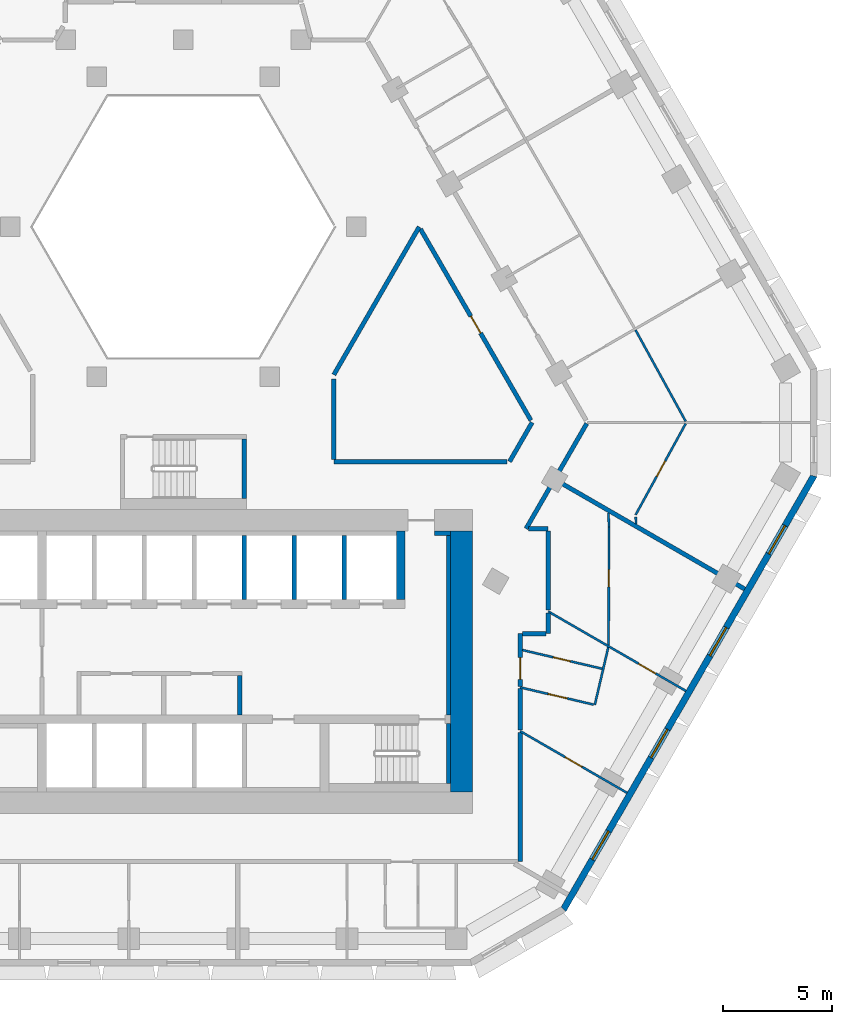
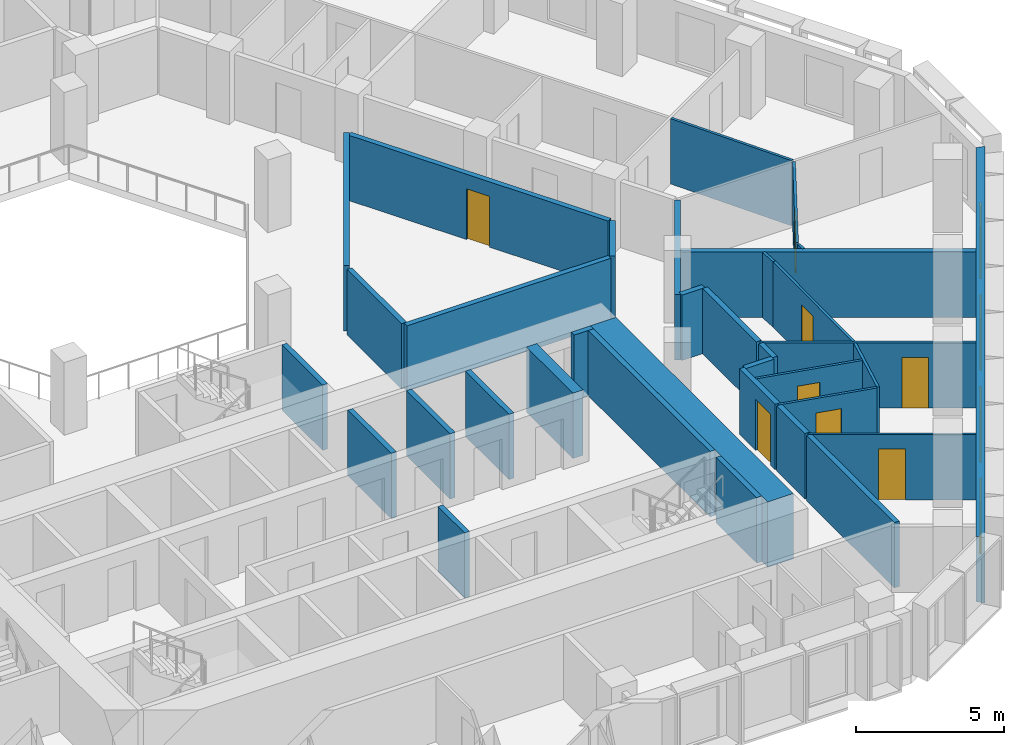
# One storey, part 6 of 15: 35 walls, 8 doors, 4 windows, 12 openings.
"""IFC4 building model written with IfcOpenShell, lengths in metres."""

from ifc_helpers import new_model, si_unit, direction, frame, frame_2d, origin, place, context, subcontext, project, spatial, polyline, rectangle, outline, extrude, material, layer, layer_set, type_object, element, fill, save


model = new_model("IFC4")

# Units and contexts
model_context = context("Model", 3, precision=1e-05, world=origin(), true_north=direction((0.0, 1.0)))
body_context = subcontext(model_context, "Body", "Model", "MODEL_VIEW")
ifc_project = project(units=[si_unit("LENGTHUNIT", "METRE"), si_unit("AREAUNIT", "SQUARE_METRE"), si_unit("VOLUMEUNIT", "CUBIC_METRE"), si_unit("PLANEANGLEUNIT", "RADIAN"), si_unit("MASSUNIT", "GRAM", prefix="KILO")], contexts=[model_context])

# Site, building, storey
site_placement = place(None, origin())
site = spatial("IfcSite", under=ifc_project, at=site_placement, CompositionType="ELEMENT")
building_placement = place(site_placement, origin())
building = spatial("IfcBuilding", under=site, at=building_placement, Name="Beryl Residences", CompositionType="ELEMENT")
storey_placement = place(building_placement, frame((0.0, 0.0, 102.0)))
storey = spatial("IfcBuildingStorey", under=building, at=storey_placement, Name="L31", CompositionType="ELEMENT", Elevation=102.0)

# Wall, openings, windows
ifc_material_1 = material(Name="Composite metal panel with mineral wool insulation")
ifc_layer_1 = layer(ifc_material_1, 0.300048828125)
ifc_layer_set_1 = layer_set([ifc_layer_1], Name="ES1 pale metal composite panel wall 300 mm")
wall_type_1 = type_object("IfcWallType", Name="ES1 pale metal composite panel wall 300 mm", PredefinedType="SOLIDWALL", material=ifc_layer_set_1)
wall_1_placement = place(storey_placement, frame((17.47900390625, -23.425048828125, 0.0), z_axis=(0.0, 0.0, 1.0), x_axis=(0.500035407905, 0.866004960056, 0.0)))
wall_1 = element("IfcWall", 1, at=wall_1_placement, inside=storey, type_object=wall_type_1, Name="ES1 external wall L31 SE", PredefinedType="SOLIDWALL", context=body_context, shape_type="SweptSolid", body=[
    extrude(outline(polyline([(0.0, -0.14990234375), (23.094482421875, -0.14990234375), (23.01416015625, 0.14990234375), (0.080322265625, 0.14990234375), (0.0, -0.14990234375)])), origin(), (0.0, 0.0, 1.0), 2.699951171875),
])
opening_1_placement = place(wall_1_placement, frame((2.677001953125, 0.0, 0.14990234375)))
opening_1 = element("IfcOpeningElement", 2, at=opening_1_placement, cuts=wall_1, Name="Opening W1", PredefinedType="OPENING", context=body_context, shape_type="SweptSolid", body=[
    extrude(rectangle(XDim=1.5, YDim=2.10009765625, at=frame_2d((0.75, 1.050048828125))), frame((0.0, 0.159912109375, 0.0), z_axis=(0.0, -1.0, 0.0), x_axis=(1.0, 0.0, 0.0)), (0.0, 0.0, 1.0), 0.320068359375),
])
opening_2_placement = place(wall_1_placement, frame((8.091064453125, 0.0, 0.14990234375)))
opening_2 = element("IfcOpeningElement", 3, at=opening_2_placement, cuts=wall_1, Name="Opening W1", PredefinedType="OPENING", context=body_context, shape_type="SweptSolid", body=[
    extrude(rectangle(XDim=1.5, YDim=2.10009765625, at=frame_2d((0.75, 1.050048828125))), frame((0.0, 0.159912109375, 0.0), z_axis=(0.0, -1.0, 0.0), x_axis=(1.0, 0.0, 0.0)), (0.0, 0.0, 1.0), 0.320068359375),
])
opening_3_placement = place(wall_1_placement, frame((13.50390625, 0.0, 0.14990234375)))
opening_3 = element("IfcOpeningElement", 4, at=opening_3_placement, cuts=wall_1, Name="Opening W1", PredefinedType="OPENING", context=body_context, shape_type="SweptSolid", body=[
    extrude(rectangle(XDim=1.5, YDim=2.10009765625, at=frame_2d((0.75, 1.050048828125))), frame((0.0, 0.159912109375, 0.0), z_axis=(0.0, -1.0, 0.0), x_axis=(1.0, 0.0, 0.0)), (0.0, 0.0, 1.0), 0.320068359375),
])
opening_4_placement = place(wall_1_placement, frame((18.9169921875, 0.0, 0.14990234375)))
opening_4 = element("IfcOpeningElement", 5, at=opening_4_placement, cuts=wall_1, Name="Opening W1", PredefinedType="OPENING", context=body_context, shape_type="SweptSolid", body=[
    extrude(rectangle(XDim=1.5, YDim=2.10009765625, at=frame_2d((0.75, 1.050048828125))), frame((0.0, 0.159912109375, 0.0), z_axis=(0.0, -1.0, 0.0), x_axis=(1.0, 0.0, 0.0)), (0.0, 0.0, 1.0), 0.320068359375),
])
ifc_material_2 = material(Name="Aluminium and clear glass", Category="aluminium")
window_type = type_object("IfcWindowType", Name="W1 cell window 1500 x 2100 mm", PartitioningType="SINGLE_PANEL", PredefinedType="WINDOW", material=ifc_material_2)
window_1_placement = place(opening_1_placement, origin())
window_1 = element("IfcWindow", 6, at=window_1_placement, inside=storey, type_object=window_type, Name="W1 window L31 SE 2", OverallHeight=2.10009765625, OverallWidth=1.5, PartitioningType="SINGLE_PANEL", PredefinedType="WINDOW", context=body_context, shape_type="SweptSolid", body=[
    extrude(rectangle(XDim=1.5, YDim=2.10009765625, at=frame_2d((0.75, 1.050048828125))), frame((0.0, 0.030029296875, 0.0), z_axis=(0.0, -1.0, 0.0), x_axis=(1.0, 0.0, 0.0)), (0.0, 0.0, 1.0), 0.06005859375),
])
fill(opening_1, window_1)
window_2_placement = place(opening_2_placement, origin())
window_2 = element("IfcWindow", 7, at=window_2_placement, inside=storey, type_object=window_type, Name="W1 window L31 SE 4", OverallHeight=2.10009765625, OverallWidth=1.5, PartitioningType="SINGLE_PANEL", PredefinedType="WINDOW", context=body_context, shape_type="SweptSolid", body=[
    extrude(rectangle(XDim=1.5, YDim=2.10009765625, at=frame_2d((0.75, 1.050048828125))), frame((0.0, 0.030029296875, 0.0), z_axis=(0.0, -1.0, 0.0), x_axis=(1.0, 0.0, 0.0)), (0.0, 0.0, 1.0), 0.06005859375),
])
fill(opening_2, window_2)
window_3_placement = place(opening_3_placement, origin())
window_3 = element("IfcWindow", 8, at=window_3_placement, inside=storey, type_object=window_type, Name="W1 window L31 SE 6", OverallHeight=2.10009765625, OverallWidth=1.5, PartitioningType="SINGLE_PANEL", PredefinedType="WINDOW", context=body_context, shape_type="SweptSolid", body=[
    extrude(rectangle(XDim=1.5, YDim=2.10009765625, at=frame_2d((0.75, 1.050048828125))), frame((0.0, 0.030029296875, 0.0), z_axis=(0.0, -1.0, 0.0), x_axis=(1.0, 0.0, 0.0)), (0.0, 0.0, 1.0), 0.06005859375),
])
fill(opening_3, window_3)
window_4_placement = place(opening_4_placement, origin())
window_4 = element("IfcWindow", 9, at=window_4_placement, inside=storey, type_object=window_type, Name="W1 window L31 SE 8", OverallHeight=2.10009765625, OverallWidth=1.5, PartitioningType="SINGLE_PANEL", PredefinedType="WINDOW", context=body_context, shape_type="SweptSolid", body=[
    extrude(rectangle(XDim=1.5, YDim=2.10009765625, at=frame_2d((0.75, 1.050048828125))), frame((0.0, 0.030029296875, 0.0), z_axis=(0.0, -1.0, 0.0), x_axis=(1.0, 0.0, 0.0)), (0.0, 0.0, 1.0), 0.06005859375),
])
fill(opening_4, window_4)

# Walls
ifc_material_3 = material(Name="Gypsum board partition on steel studs", Category="steel")
ifc_layer_2 = layer(ifc_material_3, 0.10009765625)
ifc_layer_set_2 = layer_set([ifc_layer_2], Name="PT1 partition 100 mm gypsum board on steel studs")
wall_type_2 = type_object("IfcWallType", Name="PT1 partition 100 mm gypsum board on steel studs", PredefinedType="PARTITIONING", material=ifc_layer_set_2)
wall_2_placement = place(storey_placement, frame((20.806884765625, 3.2548828125, 0.0), z_axis=(0.0, 0.0, 1.0), x_axis=(0.481604009855, -0.876388942018, 0.0)))
element("IfcWall", 10, at=wall_2_placement, inside=storey, type_object=wall_type_2, Name="Wall PT1 L31 004", PredefinedType="PARTITIONING", context=body_context, shape_type="SweptSolid", body=[
    extrude(rectangle(XDim=4.794677734375, YDim=0.10009765625, at=frame_2d((2.3974609375, 0.0))), origin(), (0.0, 0.0, 1.0), 2.699951171875),
])
wall_3_placement = place(storey_placement, frame((19.55810546875, -5.156005859375, 0.0), z_axis=(0.0, 0.0, 1.0), x_axis=(0.04980880462, -0.998758771167, 0.0)))
element("IfcWall", 11, at=wall_3_placement, inside=storey, type_object=wall_type_2, Name="Wall PT1 L31 008", PredefinedType="PARTITIONING", context=body_context, shape_type="SweptSolid", body=[
    extrude(rectangle(XDim=0.66162109375, YDim=0.10009765625, at=frame_2d((0.330810546875, 0.0))), origin(), (0.0, 0.0, 1.0), 2.699951171875),
])
wall_4_placement = place(storey_placement, frame((20.81591796875, -5.343017578125, 0.0), z_axis=(0.0, 0.0, 1.0), x_axis=(0.050626241319, -0.998717669659, 0.0)))
element("IfcWall", 12, at=wall_4_placement, inside=storey, type_object=wall_type_2, Name="Wall PT1 L31 009", PredefinedType="PARTITIONING", context=body_context, shape_type="SweptSolid", body=[
    extrude(rectangle(XDim=0.318359375, YDim=0.10009765625, at=frame_2d((0.1591796875, 0.0))), origin(), (0.0, 0.0, 1.0), 2.699951171875),
])

# Wall, opening, door
wall_5_placement = place(storey_placement, frame((15.60009765625, -11.468017578125, 0.0), z_axis=(0.0, 0.0, 1.0), x_axis=(0.973574036597, -0.228371616592, 0.0)))
wall_5 = element("IfcWall", 13, at=wall_5_placement, inside=storey, type_object=wall_type_2, Name="Wall PT1 L31 012", PredefinedType="PARTITIONING", context=body_context, shape_type="SweptSolid", body=[
    extrude(rectangle(XDim=3.7705078125, YDim=0.10009765625, at=frame_2d((1.88525390625, 0.0))), origin(), (0.0, 0.0, 1.0), 2.699951171875),
])
opening_5_placement = place(wall_5_placement, frame((1.458984375, 0.0, 0.0)))
opening_5 = element("IfcOpeningElement", 14, at=opening_5_placement, cuts=wall_5, Name="Opening D0911", PredefinedType="OPENING", context=body_context, shape_type="SweptSolid", body=[
    extrude(rectangle(XDim=0.800048828125, YDim=2.10009765625, at=frame_2d((0.39990234375, 1.050048828125))), frame((0.0, 0.06005859375, 0.0), z_axis=(0.0, -1.0, 0.0), x_axis=(1.0, 0.0, 0.0)), (0.0, 0.0, 1.0), 0.1201171875),
])
ifc_material_4 = material(Name="Timber door leaf", Category="wood")
door_type_1 = type_object("IfcDoorType", Name="D3 bathroom door 800 x 2100 mm", OperationType="SINGLE_SWING_LEFT", PredefinedType="DOOR", material=ifc_material_4)
door_1_placement = place(opening_5_placement, origin())
door_1 = element("IfcDoor", 15, at=door_1_placement, inside=storey, type_object=door_type_1, Name="Door D0911 L31 001", OperationType="SINGLE_SWING_LEFT", OverallHeight=2.10009765625, OverallWidth=0.800048828125, PredefinedType="DOOR", context=body_context, shape_type="SweptSolid", body=[
    extrude(rectangle(XDim=0.800048828125, YDim=2.10009765625, at=frame_2d((0.39990234375, 1.050048828125))), frame((0.0, 0.02490234375, 0.0), z_axis=(0.0, -1.0, 0.0), x_axis=(1.0, 0.0, 0.0)), (0.0, 0.0, 1.0), 0.050048828125),
])
fill(opening_5, door_1)

wall_6_placement = place(storey_placement, frame((15.5, -13.18701171875, 0.0), z_axis=(0.0, 0.0, 1.0), x_axis=(0.973612163993, -0.228209014119, 0.0)))
wall_6 = element("IfcWall", 16, at=wall_6_placement, inside=storey, type_object=wall_type_2, Name="Wall PT1 L31 013", PredefinedType="PARTITIONING", context=body_context, shape_type="SweptSolid", body=[
    extrude(rectangle(XDim=3.474853515625, YDim=0.10009765625, at=frame_2d((1.7373046875, 0.0))), origin(), (0.0, 0.0, 1.0), 2.699951171875),
])
opening_6_placement = place(wall_6_placement, frame((1.31298828125, 0.0, 0.0)))
opening_6 = element("IfcOpeningElement", 17, at=opening_6_placement, cuts=wall_6, Name="Opening D0912", PredefinedType="OPENING", context=body_context, shape_type="SweptSolid", body=[
    extrude(rectangle(XDim=0.89990234375, YDim=2.10009765625, at=frame_2d((0.449951171875, 1.050048828125))), frame((0.0, 0.06005859375, 0.0), z_axis=(0.0, -1.0, 0.0), x_axis=(1.0, 0.0, 0.0)), (0.0, 0.0, 1.0), 0.1201171875),
])
ifc_material_5 = material(Name="Timber door leaf", Category="wood")
door_type_2 = type_object("IfcDoorType", Name="D2 room door 900 x 2100 mm", OperationType="SINGLE_SWING_LEFT", PredefinedType="DOOR", material=ifc_material_5)
door_2_placement = place(opening_6_placement, origin())
door_2 = element("IfcDoor", 18, at=door_2_placement, inside=storey, type_object=door_type_2, Name="Door D0912 L31 001", OperationType="SINGLE_SWING_RIGHT", OverallHeight=2.10009765625, OverallWidth=0.89990234375, PredefinedType="DOOR", context=body_context, shape_type="SweptSolid", body=[
    extrude(rectangle(XDim=0.89990234375, YDim=2.10009765625, at=frame_2d((0.449951171875, 1.050048828125))), frame((0.0, 0.02490234375, 0.0), z_axis=(0.0, -1.0, 0.0), x_axis=(1.0, 0.0, 0.0)), (0.0, 0.0, 1.0), 0.050048828125),
])
fill(opening_6, door_2)

wall_7_placement = place(storey_placement, frame((15.5, -15.199951171875, 0.0), z_axis=(0.0, 0.0, 1.0), x_axis=(0.866035181374, -0.499983064336, 0.0)))
wall_7 = element("IfcWall", 19, at=wall_7_placement, inside=storey, type_object=wall_type_2, Name="Wall PT1 L31 017", PredefinedType="PARTITIONING", context=body_context, shape_type="SweptSolid", body=[
    extrude(rectangle(XDim=5.676513671875, YDim=0.10009765625, at=frame_2d((2.83837890625, 0.0))), origin(), (0.0, 0.0, 1.0), 2.699951171875),
])
opening_7_placement = place(wall_7_placement, frame((2.387939453125, 0.0, 0.0)))
opening_7 = element("IfcOpeningElement", 20, at=opening_7_placement, cuts=wall_7, Name="Opening D0913", PredefinedType="OPENING", context=body_context, shape_type="SweptSolid", body=[
    extrude(rectangle(XDim=0.89990234375, YDim=2.10009765625, at=frame_2d((0.449951171875, 1.050048828125))), frame((0.0, 0.06005859375, 0.0), z_axis=(0.0, -1.0, 0.0), x_axis=(1.0, 0.0, 0.0)), (0.0, 0.0, 1.0), 0.1201171875),
])
door_3_placement = place(opening_7_placement, origin())
door_3 = element("IfcDoor", 21, at=door_3_placement, inside=storey, type_object=door_type_2, Name="Door D0913 L31 001", OperationType="SINGLE_SWING_LEFT", OverallHeight=2.10009765625, OverallWidth=0.89990234375, PredefinedType="DOOR", context=body_context, shape_type="SweptSolid", body=[
    extrude(rectangle(XDim=0.89990234375, YDim=2.10009765625, at=frame_2d((0.449951171875, 1.050048828125))), frame((0.0, 0.02490234375, 0.0), z_axis=(0.0, -1.0, 0.0), x_axis=(1.0, 0.0, 0.0)), (0.0, 0.0, 1.0), 0.050048828125),
])
fill(opening_7, door_3)

wall_8_placement = place(storey_placement, frame((16.7919921875, -9.695068359375, 0.0), z_axis=(0.0, 0.0, 1.0), x_axis=(0.86603765469, -0.499978780208, 0.0)))
wall_8 = element("IfcWall", 22, at=wall_8_placement, inside=storey, type_object=wall_type_2, Name="Wall PT1 L31 020", PredefinedType="PARTITIONING", context=body_context, shape_type="SweptSolid", body=[
    extrude(rectangle(XDim=7.310302734375, YDim=0.10009765625, at=frame_2d((3.6552734375, 0.0))), origin(), (0.0, 0.0, 1.0), 2.699951171875),
])
opening_8_placement = place(wall_8_placement, frame((4.805908203125, 0.0, 0.0)))
opening_8 = element("IfcOpeningElement", 23, at=opening_8_placement, cuts=wall_8, Name="Opening D0914", PredefinedType="OPENING", context=body_context, shape_type="SweptSolid", body=[
    extrude(rectangle(XDim=0.89990234375, YDim=2.10009765625, at=frame_2d((0.449951171875, 1.050048828125))), frame((0.0, 0.06005859375, 0.0), z_axis=(0.0, -1.0, 0.0), x_axis=(1.0, 0.0, 0.0)), (0.0, 0.0, 1.0), 0.1201171875),
])
door_4_placement = place(opening_8_placement, origin())
door_4 = element("IfcDoor", 24, at=door_4_placement, inside=storey, type_object=door_type_2, Name="Door D0914 L31 001", OperationType="SINGLE_SWING_RIGHT", OverallHeight=2.10009765625, OverallWidth=0.89990234375, PredefinedType="DOOR", context=body_context, shape_type="SweptSolid", body=[
    extrude(rectangle(XDim=0.89990234375, YDim=2.10009765625, at=frame_2d((0.449951171875, 1.050048828125))), frame((0.0, 0.02490234375, 0.0), z_axis=(0.0, -1.0, 0.0), x_axis=(1.0, 0.0, 0.0)), (0.0, 0.0, 1.0), 0.050048828125),
])
fill(opening_8, door_4)

wall_9_placement = place(storey_placement, frame((20.81201171875, -5.248046875, 0.0), z_axis=(0.0, 0.0, 1.0), x_axis=(0.481196609449, 0.876612698434, 0.0)))
wall_9 = element("IfcWall", 25, at=wall_9_placement, inside=storey, type_object=wall_type_2, Name="Wall PT1 L31 040", PredefinedType="PARTITIONING", context=body_context, shape_type="SweptSolid", body=[
    extrude(rectangle(XDim=4.7900390625, YDim=0.10009765625, at=frame_2d((2.39501953125, 0.0))), origin(), (0.0, 0.0, 1.0), 2.699951171875),
])
opening_9_placement = place(wall_9_placement, frame((2.02294921875, 0.0, 0.0)))
opening_9 = element("IfcOpeningElement", 26, at=opening_9_placement, cuts=wall_9, Name="Opening D0922", PredefinedType="OPENING", context=body_context, shape_type="SweptSolid", body=[
    extrude(rectangle(XDim=0.800048828125, YDim=2.10009765625, at=frame_2d((0.39990234375, 1.050048828125))), frame((0.0, 0.06005859375, 0.0), z_axis=(0.0, -1.0, 0.0), x_axis=(1.0, 0.0, 0.0)), (0.0, 0.0, 1.0), 0.1201171875),
])
door_5_placement = place(opening_9_placement, origin())
door_5 = element("IfcDoor", 27, at=door_5_placement, inside=storey, type_object=door_type_1, Name="Door D0922 L31 001", OperationType="SINGLE_SWING_RIGHT", OverallHeight=2.10009765625, OverallWidth=0.800048828125, PredefinedType="DOOR", context=body_context, shape_type="SweptSolid", body=[
    extrude(rectangle(XDim=0.800048828125, YDim=2.10009765625, at=frame_2d((0.39990234375, 1.050048828125))), frame((0.0, 0.02490234375, 0.0), z_axis=(0.0, -1.0, 0.0), x_axis=(1.0, 0.0, 0.0)), (0.0, 0.0, 1.0), 0.050048828125),
])
fill(opening_9, door_5)

# Wall
wall_10_placement = place(storey_placement, frame((18.93310546875, -13.990966796875, 0.0), z_axis=(0.0, 0.0, 1.0), x_axis=(0.228172687949, 0.97362067792, 0.0)))
element("IfcWall", 28, at=wall_10_placement, inside=storey, type_object=wall_type_2, Name="Wall PT1 L31 042", PredefinedType="PARTITIONING", context=body_context, shape_type="SweptSolid", body=[
    extrude(rectangle(XDim=2.716796875, YDim=0.10009765625, at=frame_2d((1.3583984375, 0.0))), origin(), (0.0, 0.0, 1.0), 2.699951171875),
])

# Wall, opening, door
wall_11_placement = place(storey_placement, frame((19.56591796875, -11.238037109375, 0.0), z_axis=(0.0, 0.0, 1.0), x_axis=(0.004638545009, 0.999989241892, 0.0)))
wall_11 = element("IfcWall", 29, at=wall_11_placement, inside=storey, type_object=wall_type_2, Name="Wall PT1 L31 046", PredefinedType="PARTITIONING", context=body_context, shape_type="SweptSolid", body=[
    extrude(rectangle(XDim=5.421142578125, YDim=0.10009765625, at=frame_2d((2.71044921875, 0.0))), origin(), (0.0, 0.0, 1.0), 2.699951171875),
])
opening_10_placement = place(wall_11_placement, frame((2.672119140625, 0.0, 0.0)))
opening_10 = element("IfcOpeningElement", 30, at=opening_10_placement, cuts=wall_11, Name="Opening D0915", PredefinedType="OPENING", context=body_context, shape_type="SweptSolid", body=[
    extrude(rectangle(XDim=0.800048828125, YDim=2.10009765625, at=frame_2d((0.39990234375, 1.050048828125))), frame((0.0, 0.06005859375, 0.0), z_axis=(0.0, -1.0, 0.0), x_axis=(1.0, 0.0, 0.0)), (0.0, 0.0, 1.0), 0.1201171875),
])
door_6_placement = place(opening_10_placement, origin())
door_6 = element("IfcDoor", 31, at=door_6_placement, inside=storey, type_object=door_type_1, Name="Door D0915 L31 001", OperationType="SINGLE_SWING_LEFT", OverallHeight=2.10009765625, OverallWidth=0.800048828125, PredefinedType="DOOR", context=body_context, shape_type="SweptSolid", body=[
    extrude(rectangle(XDim=0.800048828125, YDim=2.10009765625, at=frame_2d((0.39990234375, 1.050048828125))), frame((0.0, 0.02490234375, 0.0), z_axis=(0.0, -1.0, 0.0), x_axis=(1.0, 0.0, 0.0)), (0.0, 0.0, 1.0), 0.050048828125),
])
fill(opening_10, door_6)

# Walls
ifc_material_6 = material(Name="Concrete masonry", Category="masonry")
ifc_layer_3 = layer(ifc_material_6, 0.199951171875)
ifc_layer_set_3 = layer_set([ifc_layer_3], Name="PT13 lobby wall 200 mm")
wall_type_3 = type_object("IfcWallType", Name="PT13 lobby wall 200 mm", PredefinedType="PARTITIONING", material=ifc_layer_set_3)
wall_12_placement = place(storey_placement, frame((2.60009765625, -14.449951171875, 0.0), z_axis=(0.0, 0.0, 1.0), x_axis=(0.0, 1.0, 0.0)))
element("IfcWall", 32, at=wall_12_placement, inside=storey, type_object=wall_type_3, Name="Lobby wall 23", PredefinedType="PARTITIONING", context=body_context, shape_type="SweptSolid", body=[
    extrude(rectangle(XDim=1.800048828125, YDim=0.199951171875, at=frame_2d((0.89990234375, 0.0))), origin(), (0.0, 0.0, 1.0), 2.699951171875),
])
wall_13_placement = place(storey_placement, frame((11.550048828125, -6.10009765625, 0.0), z_axis=(0.0, 0.0, 1.0), x_axis=(1.0, 0.0, 0.0)))
element("IfcWall", 33, at=wall_13_placement, inside=storey, type_object=wall_type_3, Name="Lobby wall 29", PredefinedType="PARTITIONING", context=body_context, shape_type="SweptSolid", body=[
    extrude(rectangle(XDim=0.75, YDim=0.199951171875, at=frame_2d((0.375, 0.0))), origin(), (0.0, 0.0, 1.0), 2.699951171875),
])
wall_14_placement = place(storey_placement, frame((12.199951171875, -14.449951171875, 0.0), z_axis=(0.0, 0.0, 1.0), x_axis=(0.0, 1.0, 0.0)))
element("IfcWall", 34, at=wall_14_placement, inside=storey, type_object=wall_type_3, Name="Lobby wall 31", PredefinedType="PARTITIONING", context=body_context, shape_type="SweptSolid", body=[
    extrude(rectangle(XDim=8.25, YDim=0.199951171875, at=frame_2d((4.125, 0.0))), origin(), (0.0, 0.0, 1.0), 2.699951171875),
])
ifc_material_7 = material(Name="Acoustic double stud gypsum board wall")
ifc_layer_4 = layer(ifc_material_7, 0.199951171875)
ifc_layer_set_4 = layer_set([ifc_layer_4], Name="PT3 party wall 200 mm acoustic double stud")
wall_type_4 = type_object("IfcWallType", Name="PT3 party wall 200 mm acoustic double stud", PredefinedType="PARTITIONING", material=ifc_layer_set_4)
wall_15_placement = place(storey_placement, frame((17.1689453125, -3.662109375, 0.0), z_axis=(0.0, 0.0, 1.0), x_axis=(0.866047370643, -0.499961950354, 0.0)))
element("IfcWall", 35, at=wall_15_placement, inside=storey, type_object=wall_type_4, Name="Wall PT3 L31 004", PredefinedType="PARTITIONING", context=body_context, shape_type="SweptSolid", body=[
    extrude(rectangle(XDim=10.000732421875, YDim=0.199951171875, at=frame_2d((5.00048828125, 0.0))), origin(), (0.0, 0.0, 1.0), 2.699951171875),
])

# Wall, opening, door
ifc_material_8 = material(Name="Double stud gypsum board wall")
ifc_layer_5 = layer(ifc_material_8, 0.199951171875)
ifc_layer_set_5 = layer_set([ifc_layer_5], Name="PT4 corridor wall 200 mm double stud")
wall_type_5 = type_object("IfcWallType", Name="PT4 corridor wall 200 mm double stud", PredefinedType="PARTITIONING", material=ifc_layer_set_5)
wall_16_placement = place(storey_placement, frame((10.9130859375, 7.89892578125, 0.0), z_axis=(0.0, 0.0, 1.0), x_axis=(0.500028940566, -0.866008694296, 0.0)))
wall_16 = element("IfcWall", 36, at=wall_16_placement, inside=storey, type_object=wall_type_5, Name="Wall PT4 L31 005", PredefinedType="PARTITIONING", context=body_context, shape_type="SweptSolid", body=[
    extrude(rectangle(XDim=10.1591796875, YDim=0.199951171875, at=frame_2d((5.07958984375, 0.0))), origin(), (0.0, 0.0, 1.0), 2.699951171875),
])
opening_11_placement = place(wall_16_placement, frame((4.6298828125, 0.0, 0.0)))
opening_11 = element("IfcOpeningElement", 37, at=opening_11_placement, cuts=wall_16, Name="Opening D0963", PredefinedType="OPENING", context=body_context, shape_type="SweptSolid", body=[
    extrude(rectangle(XDim=0.89990234375, YDim=2.10009765625, at=frame_2d((0.449951171875, 1.050048828125))), frame((0.0, 0.10986328125, 0.0), z_axis=(0.0, -1.0, 0.0), x_axis=(1.0, 0.0, 0.0)), (0.0, 0.0, 1.0), 0.219970703125),
])
door_7_placement = place(opening_11_placement, origin())
door_7 = element("IfcDoor", 38, at=door_7_placement, inside=storey, type_object=door_type_2, Name="Door D0963 L31 001", OperationType="SINGLE_SWING_LEFT", OverallHeight=2.10009765625, OverallWidth=0.89990234375, PredefinedType="DOOR", context=body_context, shape_type="SweptSolid", body=[
    extrude(rectangle(XDim=0.89990234375, YDim=2.10009765625, at=frame_2d((0.449951171875, 1.050048828125))), frame((0.0, 0.02490234375, 0.0), z_axis=(0.0, -1.0, 0.0), x_axis=(1.0, 0.0, 0.0)), (0.0, 0.0, 1.0), 0.050048828125),
])
fill(opening_11, door_7)

# Walls
wall_17_placement = place(storey_placement, frame((6.927978515625, 1.0, 0.0), z_axis=(0.0, 0.0, 1.0), x_axis=(0.0, -1.0, 0.0)))
element("IfcWall", 39, at=wall_17_placement, inside=storey, type_object=wall_type_5, Name="Wall PT4 L31 009", PredefinedType="PARTITIONING", context=body_context, shape_type="SweptSolid", body=[
    extrude(rectangle(XDim=3.698974609375, YDim=0.199951171875, at=frame_2d((1.849609375, 0.0))), origin(), (0.0, 0.0, 1.0), 2.699951171875),
])
wall_18_placement = place(storey_placement, frame((15.5, -13.239013671875, 0.0), z_axis=(0.0, 0.0, 1.0), x_axis=(0.0, -1.0, 0.0)))
element("IfcWall", 40, at=wall_18_placement, inside=storey, type_object=wall_type_5, Name="Wall PT4 L31 010", PredefinedType="PARTITIONING", context=body_context, shape_type="SweptSolid", body=[
    extrude(rectangle(XDim=1.903076171875, YDim=0.199951171875, at=frame_2d((0.95166015625, 0.0))), origin(), (0.0, 0.0, 1.0), 2.699951171875),
])
wall_19_placement = place(storey_placement, frame((16.791015625, -5.986083984375, 0.0), z_axis=(0.0, 0.0, 1.0), x_axis=(0.0, -1.0, 0.0)))
element("IfcWall", 41, at=wall_19_placement, inside=storey, type_object=wall_type_5, Name="Wall PT4 L31 011", PredefinedType="PARTITIONING", context=body_context, shape_type="SweptSolid", body=[
    extrude(rectangle(XDim=3.64990234375, YDim=0.199951171875, at=frame_2d((1.824951171875, 0.0))), origin(), (0.0, 0.0, 1.0), 2.699951171875),
])
wall_20_placement = place(storey_placement, frame((15.886962890625, -5.885009765625, 0.0), z_axis=(0.0, 0.0, 1.0), x_axis=(1.0, 0.0, 0.0)))
element("IfcWall", 42, at=wall_20_placement, inside=storey, type_object=wall_type_5, Name="Wall PT4 L31 012", PredefinedType="PARTITIONING", context=body_context, shape_type="SweptSolid", body=[
    extrude(rectangle(XDim=0.903076171875, YDim=0.199951171875, at=frame_2d((0.45166015625, 0.0))), origin(), (0.0, 0.0, 1.0), 2.699951171875),
])
wall_21_placement = place(storey_placement, frame((15.60107421875, -10.715087890625, 0.0), z_axis=(0.0, 0.0, 1.0), x_axis=(1.0, 0.0, 0.0)))
element("IfcWall", 43, at=wall_21_placement, inside=storey, type_object=wall_type_5, Name="Wall PT4 L31 014", PredefinedType="PARTITIONING", context=body_context, shape_type="SweptSolid", body=[
    extrude(rectangle(XDim=1.08984375, YDim=0.199951171875, at=frame_2d((0.544921875, 0.0))), origin(), (0.0, 0.0, 1.0), 2.699951171875),
])
wall_22_placement = place(storey_placement, frame((6.928955078125, -2.800048828125, 0.0), z_axis=(0.0, 0.0, 1.0), x_axis=(1.0, 0.0, 0.0)))
element("IfcWall", 44, at=wall_22_placement, inside=storey, type_object=wall_type_5, Name="Wall PT4 L31 018", PredefinedType="PARTITIONING", context=body_context, shape_type="SweptSolid", body=[
    extrude(rectangle(XDim=7.966064453125, YDim=0.199951171875, at=frame_2d((3.98291015625, 0.0))), origin(), (0.0, 0.0, 1.0), 2.699951171875),
])
wall_23_placement = place(storey_placement, frame((6.927978515625, 1.199951171875, 0.0), z_axis=(0.0, 0.0, 1.0), x_axis=(0.500055327065, 0.865993458332, 0.0)))
element("IfcWall", 45, at=wall_23_placement, inside=storey, type_object=wall_type_5, Name="Wall PT4 L31 023", PredefinedType="PARTITIONING", context=body_context, shape_type="SweptSolid", body=[
    extrude(rectangle(XDim=7.85107421875, YDim=0.199951171875, at=frame_2d((3.925537109375, 0.0))), origin(), (0.0, 0.0, 1.0), 2.699951171875),
])
wall_24_placement = place(storey_placement, frame((15.010986328125, -2.800048828125, 0.0), z_axis=(0.0, 0.0, 1.0), x_axis=(0.499929208183, 0.866066271601, 0.0)))
element("IfcWall", 46, at=wall_24_placement, inside=storey, type_object=wall_type_5, Name="Wall PT4 L31 024", PredefinedType="PARTITIONING", context=body_context, shape_type="SweptSolid", body=[
    extrude(rectangle(XDim=2.078369140625, YDim=0.199951171875, at=frame_2d((1.0390625, 0.0))), origin(), (0.0, 0.0, 1.0), 2.699951171875),
])
wall_25_placement = place(storey_placement, frame((15.77099609375, -5.884033203125, 0.0), z_axis=(0.0, 0.0, 1.0), x_axis=(0.499939494019, 0.866060334111, 0.0)))
element("IfcWall", 47, at=wall_25_placement, inside=storey, type_object=wall_type_5, Name="Wall PT4 L31 025", PredefinedType="PARTITIONING", context=body_context, shape_type="SweptSolid", body=[
    extrude(rectangle(XDim=5.582763671875, YDim=0.199951171875, at=frame_2d((2.79150390625, 0.0))), origin(), (0.0, 0.0, 1.0), 2.699951171875),
])
wall_26_placement = place(storey_placement, frame((15.5, -21.198974609375, 0.0), z_axis=(0.0, 0.0, 1.0), x_axis=(0.0, 1.0, 0.0)))
element("IfcWall", 48, at=wall_26_placement, inside=storey, type_object=wall_type_5, Name="Wall PT4 L31 029", PredefinedType="PARTITIONING", context=body_context, shape_type="SweptSolid", body=[
    extrude(rectangle(XDim=5.94189453125, YDim=0.199951171875, at=frame_2d((2.970947265625, 0.0))), origin(), (0.0, 0.0, 1.0), 2.699951171875),
])

# Wall, opening, door
wall_27_placement = place(storey_placement, frame((15.5, -13.135986328125, 0.0), z_axis=(0.0, 0.0, 1.0), x_axis=(0.0, 1.0, 0.0)))
wall_27 = element("IfcWall", 49, at=wall_27_placement, inside=storey, type_object=wall_type_5, Name="Wall PT4 L31 030", PredefinedType="PARTITIONING", context=body_context, shape_type="SweptSolid", body=[
    extrude(rectangle(XDim=2.419921875, YDim=0.199951171875, at=frame_2d((1.2099609375, 0.0))), origin(), (0.0, 0.0, 1.0), 2.699951171875),
])
opening_12_placement = place(wall_27_placement, frame((0.31298828125, 0.0, 0.0)))
opening_12 = element("IfcOpeningElement", 50, at=opening_12_placement, cuts=wall_27, Name="Opening D0910", PredefinedType="OPENING", context=body_context, shape_type="SweptSolid", body=[
    extrude(rectangle(XDim=1.0, YDim=2.10009765625, at=frame_2d((0.5, 1.050048828125))), frame((0.0, 0.10986328125, 0.0), z_axis=(0.0, -1.0, 0.0), x_axis=(1.0, 0.0, 0.0)), (0.0, 0.0, 1.0), 0.219970703125),
])
ifc_material_9 = material(Name="Timber door leaf", Category="wood")
door_type_3 = type_object("IfcDoorType", Name="D1 flat entrance door 1000 x 2100 mm", OperationType="SINGLE_SWING_LEFT", PredefinedType="DOOR", material=ifc_material_9)
door_8_placement = place(opening_12_placement, origin())
door_8 = element("IfcDoor", 51, at=door_8_placement, inside=storey, type_object=door_type_3, Name="Door D0910 L31 001", OperationType="SINGLE_SWING_RIGHT", OverallHeight=2.10009765625, OverallWidth=1.0, PredefinedType="DOOR", context=body_context, shape_type="SweptSolid", body=[
    extrude(rectangle(XDim=1.0, YDim=2.10009765625, at=frame_2d((0.5, 1.050048828125))), frame((0.0, 0.02490234375, 0.0), z_axis=(0.0, -1.0, 0.0), x_axis=(1.0, 0.0, 0.0)), (0.0, 0.0, 1.0), 0.050048828125),
])
fill(opening_12, door_8)

# Walls
wall_28_placement = place(storey_placement, frame((16.791015625, -10.715087890625, 0.0), z_axis=(0.0, 0.0, 1.0), x_axis=(0.0, 1.0, 0.0)))
element("IfcWall", 52, at=wall_28_placement, inside=storey, type_object=wall_type_5, Name="Wall PT4 L31 031", PredefinedType="PARTITIONING", context=body_context, shape_type="SweptSolid", body=[
    extrude(rectangle(XDim=0.943115234375, YDim=0.199951171875, at=frame_2d((0.4716796875, 0.0))), origin(), (0.0, 0.0, 1.0), 2.699951171875),
])
ifc_material_10 = material(Name="Concrete C40/50", Category="concrete")
ifc_layer_6 = layer(ifc_material_10, 0.199951171875)
ifc_layer_set_6 = layer_set([ifc_layer_6], Name="PT5 stair enclosure wall 200 mm reinforced concrete C40/50")
wall_type_6 = type_object("IfcWallType", Name="PT5 stair enclosure wall 200 mm reinforced concrete C40/50", PredefinedType="SOLIDWALL", material=ifc_layer_set_6)
for number, where, z_axis, x_axis, name in (
    (53, (2.800048828125, -4.5, 0.0), (0.0, 0.0, 1.0), (0.0, 1.0, 0.0), "Wall PT5 L31 003"),
    (54, (12.199951171875, -17.60009765625, 0.0), (0.0, 0.0, 1.0), (0.0, 1.0, 0.0), "Stair wall 30"),
):
    element("IfcWall", number, at=place(storey_placement, frame(where, z_axis=z_axis, x_axis=x_axis)), inside=storey, type_object=wall_type_6, Name=name, PredefinedType="SOLIDWALL", context=body_context, shape_type="SweptSolid", body=[
        extrude(rectangle(XDim=2.75, YDim=0.199951171875, at=frame_2d((1.375, 0.0))), origin(), (0.0, 0.0, 1.0), 2.699951171875),
    ])
ifc_material_11 = material(Name="Concrete C40/50", Category="concrete")
ifc_layer_7 = layer(ifc_material_11, 0.199951171875)
ifc_layer_set_7 = layer_set([ifc_layer_7], Name="PT6 lift shaft wall 200 mm reinforced concrete C40/50")
wall_type_7 = type_object("IfcWallType", Name="PT6 lift shaft wall 200 mm reinforced concrete C40/50", PredefinedType="SOLIDWALL", material=ifc_layer_set_7)
for number, where, z_axis, x_axis, name in (
    (55, (2.800048828125, -9.14990234375, 0.0), (0.0, 0.0, 1.0), (0.0, 1.0, 0.0), "Lift shaft wall 25"),
    (56, (5.10009765625, -9.14990234375, 0.0), (0.0, 0.0, 1.0), (0.0, 1.0, 0.0), "Lift shaft wall 26"),
    (57, (7.39990234375, -9.14990234375, 0.0), (0.0, 0.0, 1.0), (0.0, 1.0, 0.0), "Lift shaft wall 28"),
):
    element("IfcWall", number, at=place(storey_placement, frame(where, z_axis=z_axis, x_axis=x_axis)), inside=storey, type_object=wall_type_7, Name=name, PredefinedType="SOLIDWALL", context=body_context, shape_type="SweptSolid", body=[
        extrude(rectangle(XDim=2.949951171875, YDim=0.199951171875, at=frame_2d((1.47509765625, 0.0))), origin(), (0.0, 0.0, 1.0), 2.699951171875),
    ])
ifc_material_12 = material(Name="Concrete C70/85", Category="concrete")
ifc_layer_8 = layer(ifc_material_12, 1.0)
ifc_layer_set_8 = layer_set([ifc_layer_8], Name="SW2 core outer wall 1000 mm C70/85")
wall_type_8 = type_object("IfcWallType", Name="SW2 core outer wall 1000 mm C70/85", PredefinedType="SHEAR", material=ifc_layer_set_8)
wall_29_placement = place(storey_placement, frame((12.800048828125, -18.0, 0.0), z_axis=(0.0, 0.0, 1.0), x_axis=(0.0, 1.0, 0.0)))
element("IfcWall", 58, at=wall_29_placement, inside=storey, type_object=wall_type_8, Name="Core wall E L31", PredefinedType="SHEAR", context=body_context, shape_type="SweptSolid", body=[
    extrude(rectangle(XDim=12.0, YDim=1.0, at=frame_2d((6.0, 0.0))), origin(), (0.0, 0.0, 1.0), 2.699951171875),
])
ifc_material_13 = material(Name="Concrete C70/85", Category="concrete")
ifc_layer_9 = layer(ifc_material_13, 0.39990234375)
ifc_layer_set_9 = layer_set([ifc_layer_9], Name="SW7 core internal wall 400 mm C70/85")
wall_type_9 = type_object("IfcWallType", Name="SW7 core internal wall 400 mm C70/85", PredefinedType="SHEAR", material=ifc_layer_set_9)
wall_30_placement = place(storey_placement, frame((10.0, -9.14990234375, 0.0), z_axis=(0.0, 0.0, 1.0), x_axis=(0.0, 1.0, 0.0)))
element("IfcWall", 59, at=wall_30_placement, inside=storey, type_object=wall_type_9, Name="Core wall XN2 L31", PredefinedType="SHEAR", context=body_context, shape_type="SweptSolid", body=[
    extrude(rectangle(XDim=3.14990234375, YDim=0.39990234375, at=frame_2d((1.574951171875, 0.0))), origin(), (0.0, 0.0, 1.0), 2.699951171875),
])

save(model, "model.ifc")
